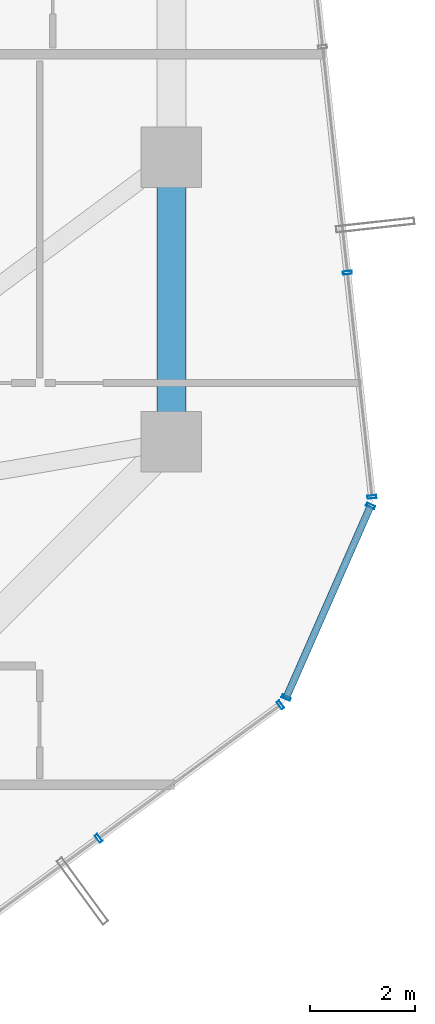
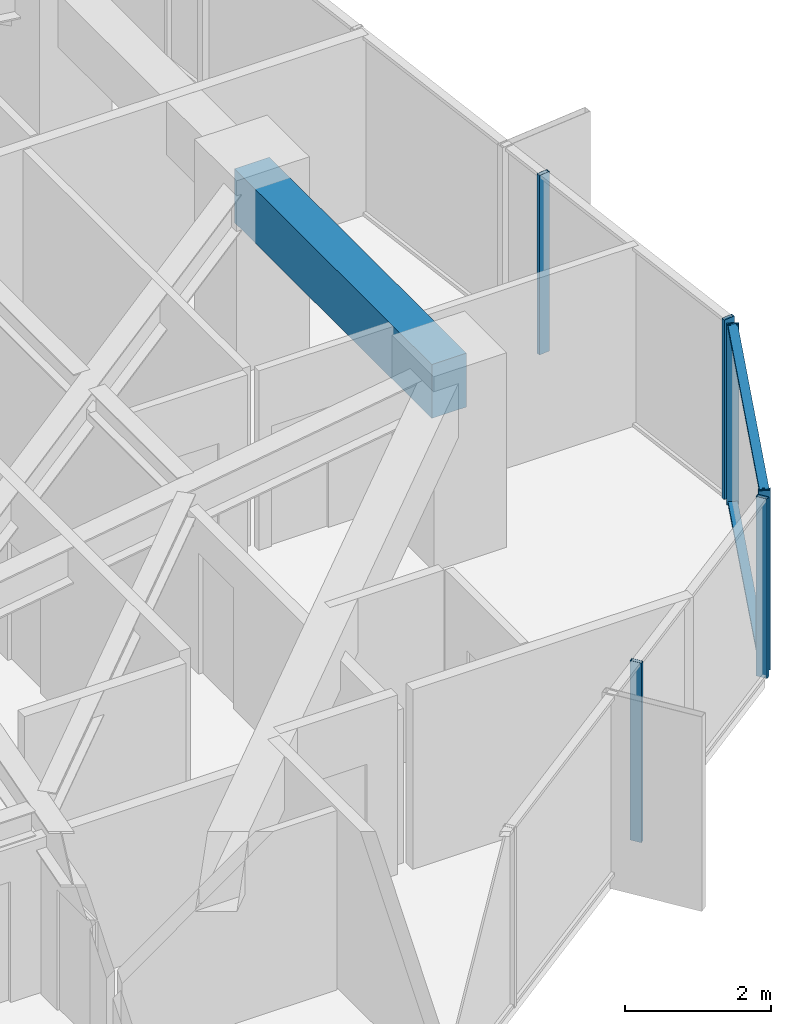
# One storey, part 15 of 34: 8 members, 1 beam, 3 elements without a shape of their own.
"""IFC4 building model written with IfcOpenShell, lengths in metres."""

from ifc_helpers import new_model, si_unit, direction, frame, origin, origin_2d, place, context, subcontext, project, spatial, rectangle, hollow_rectangle, extrude, source, transform, mapped, material, layer, layer_set, material_profile, profile_set, type_object, element, aggregate, save


model = new_model("IFC4")

# Units and contexts
model_context = context("Model", 3, precision=1e-05, world=origin(), true_north=direction((0.0, 1.0)))
body_context = subcontext(model_context, "Body", "Model", "MODEL_VIEW")
ifc_project = project(units=[si_unit("LENGTHUNIT", "METRE"), si_unit("AREAUNIT", "SQUARE_METRE"), si_unit("VOLUMEUNIT", "CUBIC_METRE"), si_unit("PLANEANGLEUNIT", "RADIAN"), si_unit("MASSUNIT", "GRAM", prefix="KILO")], contexts=[model_context])

# Site, building, storey
site_placement = place(None, origin())
site = spatial("IfcSite", under=ifc_project, at=site_placement, CompositionType="ELEMENT")
building_placement = place(site_placement, origin())
building = spatial("IfcBuilding", under=site, at=building_placement, Name="Veraguas Prism Commons", CompositionType="ELEMENT")
storey_placement = place(building_placement, frame((0.0, 0.0, 149.0)))
storey = spatial("IfcBuildingStorey", under=building, at=storey_placement, Name="L42", CompositionType="ELEMENT", Elevation=149.0)

# Beam
ifc_material_1 = material(Name="Concrete C50/60", Category="concrete")
ifc_material_profile_1 = material_profile(ifc_material_1, rectangle(XDim=0.550048828125, YDim=0.89990234375, at=origin_2d()), Name="RC550X900")
ifc_profile_set_1 = profile_set([ifc_material_profile_1], Name="Concrete C50/60")
beam_type = type_object("IfcBeamType", Name="Perimeter Spandrel Lower RC 550x900", PredefinedType="SPANDREL", material=ifc_profile_set_1)
beam_placement = place(storey_placement, frame((40.199951171875, 18.60009765625, 2.550048828125), z_axis=(0.0, 1.0, 0.0), x_axis=(-1.0, 0.0, 0.0)))
element("IfcBeam", 1, at=beam_placement, inside=storey, type_object=beam_type, Name="Perimeter Spandrel Beam L42-SP01", PredefinedType="SPANDREL", context=body_context, shape_type="SweptSolid", body=[
    extrude(rectangle(XDim=0.550048828125, YDim=0.89990234375, at=origin_2d()), origin(), (0.0, 0.0, 1.0), 5.39990234375),
])

# Curtain wall, members
ifc_material_2 = material(Name="Anodised aluminium EN AW-6063 T6", Category="aluminium")
ifc_layer = layer(ifc_material_2, 0.169921875, Name="Unitised Flush Curtain Wall Zone 2", Category="aluminium")
ifc_layer_set = layer_set([ifc_layer], Name="Anodised aluminium EN AW-6063 T6")
curtain_wall_type = type_object("IfcCurtainWallType", Name="Unitised Flush Curtain Wall Zone 2", PredefinedType="NOTDEFINED", material=ifc_layer_set)
curtain_wall_1_placement = place(storey_placement, origin())
curtain_wall_1 = element("IfcCurtainWall", 2, at=curtain_wall_1_placement, inside=storey, type_object=curtain_wall_type, Name="Tower Facade Curtain Wall L42-F5", PredefinedType="NOTDEFINED")
ifc_material_profile_2 = material_profile(ifc_material_2, hollow_rectangle(XDim=0.06005859375, YDim=0.169921875, WallThickness=0.00390625, at=origin_2d()), Name="AL60X170X4")
ifc_profile_set_2 = profile_set([ifc_material_profile_2], Name="Anodised aluminium EN AW-6063 T6")
member_type_1 = type_object("IfcMemberType", Name="Curtain Wall Mullion Lower AL 60x170x4", PredefinedType="MULLION", material=ifc_profile_set_2)
shared_shape_1 = source(origin(), body_context, "Body", "SweptSolid", [
    extrude(hollow_rectangle(XDim=0.06005859375, YDim=0.169921875, WallThickness=0.00390625, at=origin_2d()), origin(), (0.0, 0.0, 1.0), 3.0),
])
member_1_placement = place(storey_placement, frame((38.819580078125, 11.080810546875, 0.0), z_axis=(0.0, 0.0, 1.0), x_axis=(0.806343453529, 0.591447575826, 0.0)))
member_1 = element("IfcMember", 3, at=member_1_placement, type_object=member_type_1, Name="CW-Z2 Mullion 4", PredefinedType="MULLION", context=body_context, shape_type="MappedRepresentation", body=[
    mapped(shared_shape_1, transform((0.0, 0.0, 0.0), scale=1.0)),
])
member_2_placement = place(storey_placement, frame((42.269775390625, 13.611328125, 0.0), z_axis=(0.0, 0.0, 1.0), x_axis=(0.806343453529, 0.591447575826, 0.0)))
member_2 = element("IfcMember", 4, at=member_2_placement, type_object=member_type_1, Name="CW-Z2 Mullion 5", PredefinedType="MULLION", context=body_context, shape_type="MappedRepresentation", body=[
    mapped(shared_shape_1, transform((0.0, 0.0, 0.0), scale=1.0)),
])
aggregate(curtain_wall_1, [member_1, member_2])

curtain_wall_2_placement = place(storey_placement, origin())
curtain_wall_2 = element("IfcCurtainWall", 5, at=curtain_wall_2_placement, inside=storey, type_object=curtain_wall_type, Name="Tower Facade Curtain Wall L42-F6", PredefinedType="NOTDEFINED")
member_3_placement = place(storey_placement, frame((44.00439453125, 17.5556640625, 0.0), z_axis=(0.0, 0.0, 1.0), x_axis=(-0.109043838598, 0.994036941599, 0.0)))
member_3 = element("IfcMember", 6, at=member_3_placement, type_object=member_type_1, Name="CW-Z2 Mullion 1", PredefinedType="MULLION", context=body_context, shape_type="MappedRepresentation", body=[
    mapped(shared_shape_1, transform((0.0, 0.0, 0.0), scale=1.0)),
])
member_4_placement = place(storey_placement, frame((43.537841796875, 21.808837890625, 0.0), z_axis=(0.0, 0.0, 1.0), x_axis=(-0.109043838598, 0.994036941599, 0.0)))
member_4 = element("IfcMember", 7, at=member_4_placement, type_object=member_type_1, Name="CW-Z2 Mullion 2", PredefinedType="MULLION", context=body_context, shape_type="MappedRepresentation", body=[
    mapped(shared_shape_1, transform((0.0, 0.0, 0.0), scale=1.0)),
])
aggregate(curtain_wall_2, [member_3, member_4])

curtain_wall_3_placement = place(storey_placement, origin())
curtain_wall_3 = element("IfcCurtainWall", 8, at=curtain_wall_3_placement, inside=storey, type_object=curtain_wall_type, Name="Chamfer Curtain Wall L42-C6", PredefinedType="NOTDEFINED")
member_5_placement = place(storey_placement, frame((42.378662109375, 13.746826171875, 0.0), z_axis=(0.0, 0.0, 1.0), x_axis=(0.402543794939, 0.915400728182, 0.0)))
member_5 = element("IfcMember", 9, at=member_5_placement, type_object=member_type_1, Name="CW-Z2 Mullion 1", PredefinedType="MULLION", context=body_context, shape_type="MappedRepresentation", body=[
    mapped(shared_shape_1, transform((0.0, 0.0, 0.0), scale=1.0)),
])
member_6_placement = place(storey_placement, frame((43.97802734375, 17.3837890625, 0.0), z_axis=(0.0, 0.0, 1.0), x_axis=(0.402543794939, 0.915400728182, 0.0)))
member_6 = element("IfcMember", 10, at=member_6_placement, type_object=member_type_1, Name="CW-Z2 Mullion 2", PredefinedType="MULLION", context=body_context, shape_type="MappedRepresentation", body=[
    mapped(shared_shape_1, transform((0.0, 0.0, 0.0), scale=1.0)),
])
ifc_material_profile_3 = material_profile(ifc_material_2, hollow_rectangle(XDim=0.054931640625, YDim=0.135009765625, WallThickness=0.0029296875, at=origin_2d()), Name="AL55X135X3")
ifc_profile_set_3 = profile_set([ifc_material_profile_3], Name="Anodised aluminium EN AW-6063 T6")
member_type_2 = type_object("IfcMemberType", Name="Curtain Wall Transom Standard AL 55x135x3", PredefinedType="USERDEFINED", material=ifc_profile_set_3)
shared_shape_2 = source(origin(), body_context, "Body", "SweptSolid", [
    extrude(hollow_rectangle(XDim=0.054931640625, YDim=0.135009765625, WallThickness=0.0029296875, at=origin_2d()), origin(), (0.0, 0.0, 1.0), 3.97314453125),
])
member_7_placement = place(storey_placement, frame((42.378662109375, 13.746826171875, 0.027587890625), z_axis=(0.402549153145, 0.915398371914, 0.0), x_axis=(0.0, 0.0, 1.0)))
member_7 = element("IfcMember", 11, at=member_7_placement, type_object=member_type_2, Name="CW-Z2 Transom 1", ObjectType="TRANSOM", PredefinedType="USERDEFINED", context=body_context, shape_type="MappedRepresentation", body=[
    mapped(shared_shape_2, transform((0.0, 0.0, 0.0), scale=1.0)),
])
member_8_placement = place(storey_placement, frame((42.378662109375, 13.746826171875, 2.972412109375), z_axis=(0.402549153145, 0.915398371914, 0.0), x_axis=(0.0, 0.0, 1.0)))
member_8 = element("IfcMember", 12, at=member_8_placement, type_object=member_type_2, Name="CW-Z2 Transom 2", ObjectType="TRANSOM", PredefinedType="USERDEFINED", context=body_context, shape_type="MappedRepresentation", body=[
    mapped(shared_shape_2, transform((0.0, 0.0, 0.0), scale=1.0)),
])
aggregate(curtain_wall_3, [member_5, member_6, member_7, member_8])

save(model, "model.ifc")
